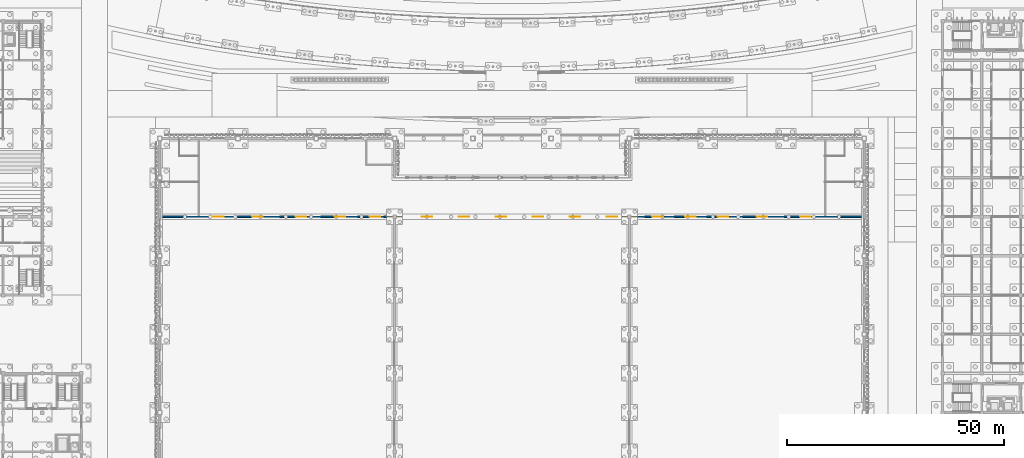
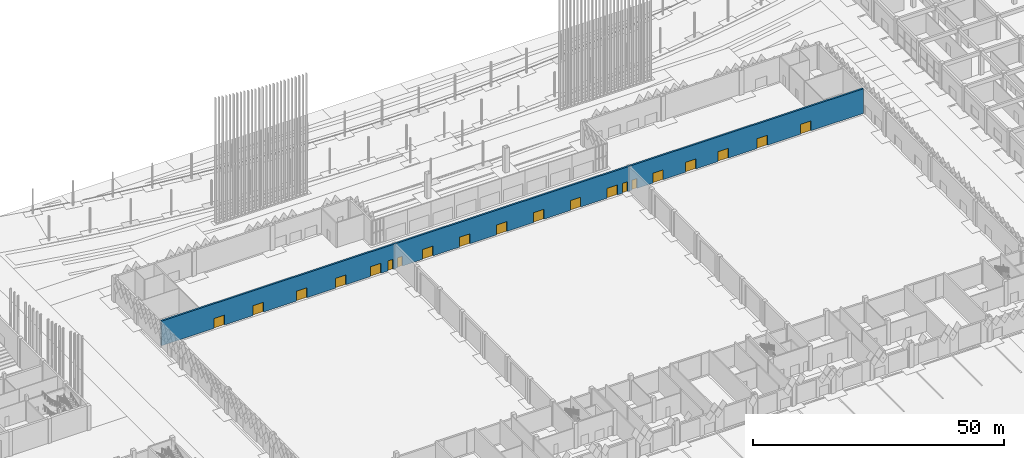
# One storey, part 95 of 198: 20 doors, 1 wall, 20 openings.
"""IFC4 building model written with IfcOpenShell, lengths in metres."""

from ifc_helpers import new_model, si_unit, direction, frame, frame_2d, origin, place, context, subcontext, project, spatial, rectangle, extrude, material, layer, layer_set, type_object, element, fill, save


model = new_model("IFC4")

# Units and contexts
model_context = context("Model", 3, precision=1e-05, world=origin(), true_north=direction((0.0, 1.0)))
body_context = subcontext(model_context, "Body", "Model", "MODEL_VIEW")
ifc_project = project(units=[si_unit("LENGTHUNIT", "METRE"), si_unit("AREAUNIT", "SQUARE_METRE"), si_unit("VOLUMEUNIT", "CUBIC_METRE"), si_unit("PLANEANGLEUNIT", "RADIAN"), si_unit("MASSUNIT", "GRAM", prefix="KILO")], contexts=[model_context])

# Site, building, storey
site_placement = place(None, origin())
site = spatial("IfcSite", under=ifc_project, at=site_placement, CompositionType="ELEMENT")
building_placement = place(site_placement, origin())
building = spatial("IfcBuilding", under=site, at=building_placement, Name="Opaline Strait Convention Centre", CompositionType="ELEMENT")
storey_placement = place(building_placement, origin())
storey = spatial("IfcBuildingStorey", under=building, at=storey_placement, Name="L00", CompositionType="ELEMENT", Elevation=0.0)

# Wall, openings, doors
ifc_material_1 = material(Name="Concrete C40", Category="concrete")
ifc_layer_1 = layer(ifc_material_1, 0.300048828125)
ifc_material_2 = material(Name="Cement plaster")
ifc_layer_2 = layer(ifc_material_2, 0.050048828125)
ifc_layer_3 = layer(ifc_material_2, 0.050048828125)
ifc_layer_set = layer_set([ifc_layer_1, ifc_layer_2, ifc_layer_3], Name="Concrete C40, Cement plaster, Cement plaster")
wall_type = type_object("IfcWallType", Name="Hall compartment wall 400", PredefinedType="SOLIDWALL", material=ifc_layer_set)
wall_placement = place(storey_placement, frame((99.199951171875, 135.0, 0.0), z_axis=(0.0, 0.0, 1.0), x_axis=(1.0, 0.0, 0.0)))
wall = element("IfcWall", 1, at=wall_placement, inside=storey, type_object=wall_type, Name="Hall north wall", PredefinedType="SOLIDWALL", context=body_context, shape_type="SweptSolid", body=[
    extrude(rectangle(XDim=161.60009765625, YDim=0.39990234375, at=frame_2d((80.800048828125, 0.0))), origin(), (0.0, 0.0, 1.0), 6.0),
])
opening_1_placement = place(wall_placement, frame((12.10009765625, 0.0, 0.0)))
opening_1 = element("IfcOpeningElement", 2, at=opening_1_placement, cuts=wall, Name="Opening X0-062", PredefinedType="OPENING", context=body_context, shape_type="SweptSolid", body=[
    extrude(rectangle(XDim=2.39990234375, YDim=2.39990234375, at=frame_2d((1.199951171875, 1.199951171875))), frame((0.0, 0.2099609375, 0.0), z_axis=(0.0, -1.0, 0.0), x_axis=(1.0, 0.0, 0.0)), (0.0, 0.0, 1.0), 0.419921875),
])
opening_2_placement = place(wall_placement, frame((21.10009765625, 0.0, 0.0)))
opening_2 = element("IfcOpeningElement", 3, at=opening_2_placement, cuts=wall, Name="Opening X0-063", PredefinedType="OPENING", context=body_context, shape_type="SweptSolid", body=[
    extrude(rectangle(XDim=2.39990234375, YDim=2.39990234375, at=frame_2d((1.199951171875, 1.199951171875))), frame((0.0, 0.2099609375, 0.0), z_axis=(0.0, -1.0, 0.0), x_axis=(1.0, 0.0, 0.0)), (0.0, 0.0, 1.0), 0.419921875),
])
opening_3_placement = place(wall_placement, frame((31.10009765625, 0.0, 0.0)))
opening_3 = element("IfcOpeningElement", 4, at=opening_3_placement, cuts=wall, Name="Opening X0-064", PredefinedType="OPENING", context=body_context, shape_type="SweptSolid", body=[
    extrude(rectangle(XDim=2.39990234375, YDim=2.39990234375, at=frame_2d((1.199951171875, 1.199951171875))), frame((0.0, 0.2099609375, 0.0), z_axis=(0.0, -1.0, 0.0), x_axis=(1.0, 0.0, 0.0)), (0.0, 0.0, 1.0), 0.419921875),
])
opening_4_placement = place(wall_placement, frame((40.10009765625, 0.0, 0.0)))
opening_4 = element("IfcOpeningElement", 5, at=opening_4_placement, cuts=wall, Name="Opening X0-065", PredefinedType="OPENING", context=body_context, shape_type="SweptSolid", body=[
    extrude(rectangle(XDim=2.39990234375, YDim=2.39990234375, at=frame_2d((1.199951171875, 1.199951171875))), frame((0.0, 0.2099609375, 0.0), z_axis=(0.0, -1.0, 0.0), x_axis=(1.0, 0.0, 0.0)), (0.0, 0.0, 1.0), 0.419921875),
])
opening_5_placement = place(wall_placement, frame((48.10009765625, 0.0, 0.0)))
opening_5 = element("IfcOpeningElement", 6, at=opening_5_placement, cuts=wall, Name="Opening X0-066", PredefinedType="OPENING", context=body_context, shape_type="SweptSolid", body=[
    extrude(rectangle(XDim=2.39990234375, YDim=2.39990234375, at=frame_2d((1.199951171875, 1.199951171875))), frame((0.0, 0.2099609375, 0.0), z_axis=(0.0, -1.0, 0.0), x_axis=(1.0, 0.0, 0.0)), (0.0, 0.0, 1.0), 0.419921875),
])
opening_6_placement = place(wall_placement, frame((52.10009765625, 0.0, 0.0)))
opening_6 = element("IfcOpeningElement", 7, at=opening_6_placement, cuts=wall, Name="Opening X0-067", PredefinedType="OPENING", context=body_context, shape_type="SweptSolid", body=[
    extrude(rectangle(XDim=1.199951171875, YDim=2.39990234375, at=frame_2d((0.60009765625, 1.199951171875))), frame((0.0, 0.2099609375, 0.0), z_axis=(0.0, -1.0, 0.0), x_axis=(1.0, 0.0, 0.0)), (0.0, 0.0, 1.0), 0.419921875),
])
opening_7_placement = place(wall_placement, frame((54.300048828125, 0.0, 0.0)))
opening_7 = element("IfcOpeningElement", 8, at=opening_7_placement, cuts=wall, Name="Opening X0-068", PredefinedType="OPENING", context=body_context, shape_type="SweptSolid", body=[
    extrude(rectangle(XDim=1.199951171875, YDim=2.39990234375, at=frame_2d((0.60009765625, 1.199951171875))), frame((0.0, 0.2099609375, 0.0), z_axis=(0.0, -1.0, 0.0), x_axis=(1.0, 0.0, 0.0)), (0.0, 0.0, 1.0), 0.419921875),
])
opening_8_placement = place(wall_placement, frame((60.10009765625, 0.0, 0.0)))
opening_8 = element("IfcOpeningElement", 9, at=opening_8_placement, cuts=wall, Name="Opening X0-069", PredefinedType="OPENING", context=body_context, shape_type="SweptSolid", body=[
    extrude(rectangle(XDim=2.39990234375, YDim=2.39990234375, at=frame_2d((1.199951171875, 1.199951171875))), frame((0.0, 0.2099609375, 0.0), z_axis=(0.0, -1.0, 0.0), x_axis=(1.0, 0.0, 0.0)), (0.0, 0.0, 1.0), 0.419921875),
])
opening_9_placement = place(wall_placement, frame((68.60009765625, 0.0, 0.0)))
opening_9 = element("IfcOpeningElement", 10, at=opening_9_placement, cuts=wall, Name="Opening X0-070", PredefinedType="OPENING", context=body_context, shape_type="SweptSolid", body=[
    extrude(rectangle(XDim=2.39990234375, YDim=2.39990234375, at=frame_2d((1.199951171875, 1.199951171875))), frame((0.0, 0.2099609375, 0.0), z_axis=(0.0, -1.0, 0.0), x_axis=(1.0, 0.0, 0.0)), (0.0, 0.0, 1.0), 0.419921875),
])
opening_10_placement = place(wall_placement, frame((77.10009765625, 0.0, 0.0)))
opening_10 = element("IfcOpeningElement", 11, at=opening_10_placement, cuts=wall, Name="Opening X0-071", PredefinedType="OPENING", context=body_context, shape_type="SweptSolid", body=[
    extrude(rectangle(XDim=2.39990234375, YDim=2.39990234375, at=frame_2d((1.199951171875, 1.199951171875))), frame((0.0, 0.2099609375, 0.0), z_axis=(0.0, -1.0, 0.0), x_axis=(1.0, 0.0, 0.0)), (0.0, 0.0, 1.0), 0.419921875),
])
opening_11_placement = place(wall_placement, frame((85.60009765625, 0.0, 0.0)))
opening_11 = element("IfcOpeningElement", 12, at=opening_11_placement, cuts=wall, Name="Opening X0-072", PredefinedType="OPENING", context=body_context, shape_type="SweptSolid", body=[
    extrude(rectangle(XDim=2.39990234375, YDim=2.39990234375, at=frame_2d((1.199951171875, 1.199951171875))), frame((0.0, 0.2099609375, 0.0), z_axis=(0.0, -1.0, 0.0), x_axis=(1.0, 0.0, 0.0)), (0.0, 0.0, 1.0), 0.419921875),
])
opening_12_placement = place(wall_placement, frame((94.10009765625, 0.0, 0.0)))
opening_12 = element("IfcOpeningElement", 13, at=opening_12_placement, cuts=wall, Name="Opening X0-073", PredefinedType="OPENING", context=body_context, shape_type="SweptSolid", body=[
    extrude(rectangle(XDim=2.39990234375, YDim=2.39990234375, at=frame_2d((1.199951171875, 1.199951171875))), frame((0.0, 0.2099609375, 0.0), z_axis=(0.0, -1.0, 0.0), x_axis=(1.0, 0.0, 0.0)), (0.0, 0.0, 1.0), 0.419921875),
])
opening_13_placement = place(wall_placement, frame((102.60009765625, 0.0, 0.0)))
opening_13 = element("IfcOpeningElement", 14, at=opening_13_placement, cuts=wall, Name="Opening X0-074", PredefinedType="OPENING", context=body_context, shape_type="SweptSolid", body=[
    extrude(rectangle(XDim=2.39990234375, YDim=2.39990234375, at=frame_2d((1.199951171875, 1.199951171875))), frame((0.0, 0.2099609375, 0.0), z_axis=(0.0, -1.0, 0.0), x_axis=(1.0, 0.0, 0.0)), (0.0, 0.0, 1.0), 0.419921875),
])
opening_14_placement = place(wall_placement, frame((106.10009765625, 0.0, 0.0)))
opening_14 = element("IfcOpeningElement", 15, at=opening_14_placement, cuts=wall, Name="Opening X0-075", PredefinedType="OPENING", context=body_context, shape_type="SweptSolid", body=[
    extrude(rectangle(XDim=1.199951171875, YDim=2.39990234375, at=frame_2d((0.60009765625, 1.199951171875))), frame((0.0, 0.2099609375, 0.0), z_axis=(0.0, -1.0, 0.0), x_axis=(1.0, 0.0, 0.0)), (0.0, 0.0, 1.0), 0.419921875),
])
opening_15_placement = place(wall_placement, frame((108.300048828125, 0.0, 0.0)))
opening_15 = element("IfcOpeningElement", 16, at=opening_15_placement, cuts=wall, Name="Opening X0-076", PredefinedType="OPENING", context=body_context, shape_type="SweptSolid", body=[
    extrude(rectangle(XDim=1.199951171875, YDim=2.39990234375, at=frame_2d((0.60009765625, 1.199951171875))), frame((0.0, 0.2099609375, 0.0), z_axis=(0.0, -1.0, 0.0), x_axis=(1.0, 0.0, 0.0)), (0.0, 0.0, 1.0), 0.419921875),
])
opening_16_placement = place(wall_placement, frame((113.10009765625, 0.0, 0.0)))
opening_16 = element("IfcOpeningElement", 17, at=opening_16_placement, cuts=wall, Name="Opening X0-077", PredefinedType="OPENING", context=body_context, shape_type="SweptSolid", body=[
    extrude(rectangle(XDim=2.39990234375, YDim=2.39990234375, at=frame_2d((1.199951171875, 1.199951171875))), frame((0.0, 0.2099609375, 0.0), z_axis=(0.0, -1.0, 0.0), x_axis=(1.0, 0.0, 0.0)), (0.0, 0.0, 1.0), 0.419921875),
])
opening_17_placement = place(wall_placement, frame((120.60009765625, 0.0, 0.0)))
opening_17 = element("IfcOpeningElement", 18, at=opening_17_placement, cuts=wall, Name="Opening X0-078", PredefinedType="OPENING", context=body_context, shape_type="SweptSolid", body=[
    extrude(rectangle(XDim=2.39990234375, YDim=2.39990234375, at=frame_2d((1.199951171875, 1.199951171875))), frame((0.0, 0.2099609375, 0.0), z_axis=(0.0, -1.0, 0.0), x_axis=(1.0, 0.0, 0.0)), (0.0, 0.0, 1.0), 0.419921875),
])
opening_18_placement = place(wall_placement, frame((128.10009765625, 0.0, 0.0)))
opening_18 = element("IfcOpeningElement", 19, at=opening_18_placement, cuts=wall, Name="Opening X0-079", PredefinedType="OPENING", context=body_context, shape_type="SweptSolid", body=[
    extrude(rectangle(XDim=2.39990234375, YDim=2.39990234375, at=frame_2d((1.199951171875, 1.199951171875))), frame((0.0, 0.2099609375, 0.0), z_axis=(0.0, -1.0, 0.0), x_axis=(1.0, 0.0, 0.0)), (0.0, 0.0, 1.0), 0.419921875),
])
opening_19_placement = place(wall_placement, frame((137.10009765625, 0.0, 0.0)))
opening_19 = element("IfcOpeningElement", 20, at=opening_19_placement, cuts=wall, Name="Opening X0-080", PredefinedType="OPENING", context=body_context, shape_type="SweptSolid", body=[
    extrude(rectangle(XDim=2.39990234375, YDim=2.39990234375, at=frame_2d((1.199951171875, 1.199951171875))), frame((0.0, 0.2099609375, 0.0), z_axis=(0.0, -1.0, 0.0), x_axis=(1.0, 0.0, 0.0)), (0.0, 0.0, 1.0), 0.419921875),
])
opening_20_placement = place(wall_placement, frame((147.10009765625, 0.0, 0.0)))
opening_20 = element("IfcOpeningElement", 21, at=opening_20_placement, cuts=wall, Name="Opening X0-081", PredefinedType="OPENING", context=body_context, shape_type="SweptSolid", body=[
    extrude(rectangle(XDim=2.39990234375, YDim=2.39990234375, at=frame_2d((1.199951171875, 1.199951171875))), frame((0.0, 0.2099609375, 0.0), z_axis=(0.0, -1.0, 0.0), x_axis=(1.0, 0.0, 0.0)), (0.0, 0.0, 1.0), 0.419921875),
])
ifc_material_3 = material(Name="Steel Q235B", Category="steel")
door_type_1 = type_object("IfcDoorType", Name="Fire door pair FD90 2400 x 2400", OperationType="DOUBLE_DOOR_SINGLE_SWING", PredefinedType="DOOR", material=ifc_material_3)
door_1_placement = place(opening_1_placement, origin())
door_1 = element("IfcDoor", 22, at=door_1_placement, inside=storey, type_object=door_type_1, Name="Hall to foyer door 1", ObjectType="XD3", OperationType="DOUBLE_DOOR_SINGLE_SWING", OverallHeight=2.39990234375, OverallWidth=2.39990234375, PredefinedType="DOOR", context=body_context, shape_type="SweptSolid", body=[
    extrude(rectangle(XDim=2.39990234375, YDim=2.39990234375, at=frame_2d((1.199951171875, 1.199951171875))), frame((0.0, 0.02490234375, 0.0), z_axis=(0.0, -1.0, 0.0), x_axis=(1.0, 0.0, 0.0)), (0.0, 0.0, 1.0), 0.050048828125),
])
fill(opening_1, door_1)
door_2_placement = place(opening_2_placement, origin())
door_2 = element("IfcDoor", 23, at=door_2_placement, inside=storey, type_object=door_type_1, Name="Hall to foyer door 2", ObjectType="XD3", OperationType="DOUBLE_DOOR_SINGLE_SWING", OverallHeight=2.39990234375, OverallWidth=2.39990234375, PredefinedType="DOOR", context=body_context, shape_type="SweptSolid", body=[
    extrude(rectangle(XDim=2.39990234375, YDim=2.39990234375, at=frame_2d((1.199951171875, 1.199951171875))), frame((0.0, 0.02490234375, 0.0), z_axis=(0.0, -1.0, 0.0), x_axis=(1.0, 0.0, 0.0)), (0.0, 0.0, 1.0), 0.050048828125),
])
fill(opening_2, door_2)
door_3_placement = place(opening_3_placement, origin())
door_3 = element("IfcDoor", 24, at=door_3_placement, inside=storey, type_object=door_type_1, Name="Hall to foyer door 3", ObjectType="XD3", OperationType="DOUBLE_DOOR_SINGLE_SWING", OverallHeight=2.39990234375, OverallWidth=2.39990234375, PredefinedType="DOOR", context=body_context, shape_type="SweptSolid", body=[
    extrude(rectangle(XDim=2.39990234375, YDim=2.39990234375, at=frame_2d((1.199951171875, 1.199951171875))), frame((0.0, 0.02490234375, 0.0), z_axis=(0.0, -1.0, 0.0), x_axis=(1.0, 0.0, 0.0)), (0.0, 0.0, 1.0), 0.050048828125),
])
fill(opening_3, door_3)
door_4_placement = place(opening_4_placement, origin())
door_4 = element("IfcDoor", 25, at=door_4_placement, inside=storey, type_object=door_type_1, Name="Hall to foyer door 4", ObjectType="XD3", OperationType="DOUBLE_DOOR_SINGLE_SWING", OverallHeight=2.39990234375, OverallWidth=2.39990234375, PredefinedType="DOOR", context=body_context, shape_type="SweptSolid", body=[
    extrude(rectangle(XDim=2.39990234375, YDim=2.39990234375, at=frame_2d((1.199951171875, 1.199951171875))), frame((0.0, 0.02490234375, 0.0), z_axis=(0.0, -1.0, 0.0), x_axis=(1.0, 0.0, 0.0)), (0.0, 0.0, 1.0), 0.050048828125),
])
fill(opening_4, door_4)
door_5_placement = place(opening_5_placement, origin())
door_5 = element("IfcDoor", 26, at=door_5_placement, inside=storey, type_object=door_type_1, Name="Hall to foyer door 5", ObjectType="XD3", OperationType="DOUBLE_DOOR_SINGLE_SWING", OverallHeight=2.39990234375, OverallWidth=2.39990234375, PredefinedType="DOOR", context=body_context, shape_type="SweptSolid", body=[
    extrude(rectangle(XDim=2.39990234375, YDim=2.39990234375, at=frame_2d((1.199951171875, 1.199951171875))), frame((0.0, 0.02490234375, 0.0), z_axis=(0.0, -1.0, 0.0), x_axis=(1.0, 0.0, 0.0)), (0.0, 0.0, 1.0), 0.050048828125),
])
fill(opening_5, door_5)
door_6_placement = place(opening_8_placement, origin())
door_6 = element("IfcDoor", 27, at=door_6_placement, inside=storey, type_object=door_type_1, Name="Hall to foyer door 8", ObjectType="XD3", OperationType="DOUBLE_DOOR_SINGLE_SWING", OverallHeight=2.39990234375, OverallWidth=2.39990234375, PredefinedType="DOOR", context=body_context, shape_type="SweptSolid", body=[
    extrude(rectangle(XDim=2.39990234375, YDim=2.39990234375, at=frame_2d((1.199951171875, 1.199951171875))), frame((0.0, 0.02490234375, 0.0), z_axis=(0.0, -1.0, 0.0), x_axis=(1.0, 0.0, 0.0)), (0.0, 0.0, 1.0), 0.050048828125),
])
fill(opening_8, door_6)
door_7_placement = place(opening_9_placement, origin())
door_7 = element("IfcDoor", 28, at=door_7_placement, inside=storey, type_object=door_type_1, Name="Hall to foyer door 9", ObjectType="XD3", OperationType="DOUBLE_DOOR_SINGLE_SWING", OverallHeight=2.39990234375, OverallWidth=2.39990234375, PredefinedType="DOOR", context=body_context, shape_type="SweptSolid", body=[
    extrude(rectangle(XDim=2.39990234375, YDim=2.39990234375, at=frame_2d((1.199951171875, 1.199951171875))), frame((0.0, 0.02490234375, 0.0), z_axis=(0.0, -1.0, 0.0), x_axis=(1.0, 0.0, 0.0)), (0.0, 0.0, 1.0), 0.050048828125),
])
fill(opening_9, door_7)
door_8_placement = place(opening_10_placement, origin())
door_8 = element("IfcDoor", 29, at=door_8_placement, inside=storey, type_object=door_type_1, Name="Hall to foyer door 10", ObjectType="XD3", OperationType="DOUBLE_DOOR_SINGLE_SWING", OverallHeight=2.39990234375, OverallWidth=2.39990234375, PredefinedType="DOOR", context=body_context, shape_type="SweptSolid", body=[
    extrude(rectangle(XDim=2.39990234375, YDim=2.39990234375, at=frame_2d((1.199951171875, 1.199951171875))), frame((0.0, 0.02490234375, 0.0), z_axis=(0.0, -1.0, 0.0), x_axis=(1.0, 0.0, 0.0)), (0.0, 0.0, 1.0), 0.050048828125),
])
fill(opening_10, door_8)
door_9_placement = place(opening_11_placement, origin())
door_9 = element("IfcDoor", 30, at=door_9_placement, inside=storey, type_object=door_type_1, Name="Hall to foyer door 11", ObjectType="XD3", OperationType="DOUBLE_DOOR_SINGLE_SWING", OverallHeight=2.39990234375, OverallWidth=2.39990234375, PredefinedType="DOOR", context=body_context, shape_type="SweptSolid", body=[
    extrude(rectangle(XDim=2.39990234375, YDim=2.39990234375, at=frame_2d((1.199951171875, 1.199951171875))), frame((0.0, 0.02490234375, 0.0), z_axis=(0.0, -1.0, 0.0), x_axis=(1.0, 0.0, 0.0)), (0.0, 0.0, 1.0), 0.050048828125),
])
fill(opening_11, door_9)
door_10_placement = place(opening_12_placement, origin())
door_10 = element("IfcDoor", 31, at=door_10_placement, inside=storey, type_object=door_type_1, Name="Hall to foyer door 12", ObjectType="XD3", OperationType="DOUBLE_DOOR_SINGLE_SWING", OverallHeight=2.39990234375, OverallWidth=2.39990234375, PredefinedType="DOOR", context=body_context, shape_type="SweptSolid", body=[
    extrude(rectangle(XDim=2.39990234375, YDim=2.39990234375, at=frame_2d((1.199951171875, 1.199951171875))), frame((0.0, 0.02490234375, 0.0), z_axis=(0.0, -1.0, 0.0), x_axis=(1.0, 0.0, 0.0)), (0.0, 0.0, 1.0), 0.050048828125),
])
fill(opening_12, door_10)
door_11_placement = place(opening_13_placement, origin())
door_11 = element("IfcDoor", 32, at=door_11_placement, inside=storey, type_object=door_type_1, Name="Hall to foyer door 13", ObjectType="XD3", OperationType="DOUBLE_DOOR_SINGLE_SWING", OverallHeight=2.39990234375, OverallWidth=2.39990234375, PredefinedType="DOOR", context=body_context, shape_type="SweptSolid", body=[
    extrude(rectangle(XDim=2.39990234375, YDim=2.39990234375, at=frame_2d((1.199951171875, 1.199951171875))), frame((0.0, 0.02490234375, 0.0), z_axis=(0.0, -1.0, 0.0), x_axis=(1.0, 0.0, 0.0)), (0.0, 0.0, 1.0), 0.050048828125),
])
fill(opening_13, door_11)
door_12_placement = place(opening_16_placement, origin())
door_12 = element("IfcDoor", 33, at=door_12_placement, inside=storey, type_object=door_type_1, Name="Hall to foyer door 16", ObjectType="XD3", OperationType="DOUBLE_DOOR_SINGLE_SWING", OverallHeight=2.39990234375, OverallWidth=2.39990234375, PredefinedType="DOOR", context=body_context, shape_type="SweptSolid", body=[
    extrude(rectangle(XDim=2.39990234375, YDim=2.39990234375, at=frame_2d((1.199951171875, 1.199951171875))), frame((0.0, 0.02490234375, 0.0), z_axis=(0.0, -1.0, 0.0), x_axis=(1.0, 0.0, 0.0)), (0.0, 0.0, 1.0), 0.050048828125),
])
fill(opening_16, door_12)
door_13_placement = place(opening_17_placement, origin())
door_13 = element("IfcDoor", 34, at=door_13_placement, inside=storey, type_object=door_type_1, Name="Hall to foyer door 17", ObjectType="XD3", OperationType="DOUBLE_DOOR_SINGLE_SWING", OverallHeight=2.39990234375, OverallWidth=2.39990234375, PredefinedType="DOOR", context=body_context, shape_type="SweptSolid", body=[
    extrude(rectangle(XDim=2.39990234375, YDim=2.39990234375, at=frame_2d((1.199951171875, 1.199951171875))), frame((0.0, 0.02490234375, 0.0), z_axis=(0.0, -1.0, 0.0), x_axis=(1.0, 0.0, 0.0)), (0.0, 0.0, 1.0), 0.050048828125),
])
fill(opening_17, door_13)
door_14_placement = place(opening_18_placement, origin())
door_14 = element("IfcDoor", 35, at=door_14_placement, inside=storey, type_object=door_type_1, Name="Hall to foyer door 18", ObjectType="XD3", OperationType="DOUBLE_DOOR_SINGLE_SWING", OverallHeight=2.39990234375, OverallWidth=2.39990234375, PredefinedType="DOOR", context=body_context, shape_type="SweptSolid", body=[
    extrude(rectangle(XDim=2.39990234375, YDim=2.39990234375, at=frame_2d((1.199951171875, 1.199951171875))), frame((0.0, 0.02490234375, 0.0), z_axis=(0.0, -1.0, 0.0), x_axis=(1.0, 0.0, 0.0)), (0.0, 0.0, 1.0), 0.050048828125),
])
fill(opening_18, door_14)
door_15_placement = place(opening_19_placement, origin())
door_15 = element("IfcDoor", 36, at=door_15_placement, inside=storey, type_object=door_type_1, Name="Hall to foyer door 19", ObjectType="XD3", OperationType="DOUBLE_DOOR_SINGLE_SWING", OverallHeight=2.39990234375, OverallWidth=2.39990234375, PredefinedType="DOOR", context=body_context, shape_type="SweptSolid", body=[
    extrude(rectangle(XDim=2.39990234375, YDim=2.39990234375, at=frame_2d((1.199951171875, 1.199951171875))), frame((0.0, 0.02490234375, 0.0), z_axis=(0.0, -1.0, 0.0), x_axis=(1.0, 0.0, 0.0)), (0.0, 0.0, 1.0), 0.050048828125),
])
fill(opening_19, door_15)
door_16_placement = place(opening_20_placement, origin())
door_16 = element("IfcDoor", 37, at=door_16_placement, inside=storey, type_object=door_type_1, Name="Hall to foyer door 20", ObjectType="XD3", OperationType="DOUBLE_DOOR_SINGLE_SWING", OverallHeight=2.39990234375, OverallWidth=2.39990234375, PredefinedType="DOOR", context=body_context, shape_type="SweptSolid", body=[
    extrude(rectangle(XDim=2.39990234375, YDim=2.39990234375, at=frame_2d((1.199951171875, 1.199951171875))), frame((0.0, 0.02490234375, 0.0), z_axis=(0.0, -1.0, 0.0), x_axis=(1.0, 0.0, 0.0)), (0.0, 0.0, 1.0), 0.050048828125),
])
fill(opening_20, door_16)
door_type_2 = type_object("IfcDoorType", Name="Fire door single FD90 1200 x 2400", OperationType="SINGLE_SWING_LEFT", PredefinedType="DOOR", material=ifc_material_3)
door_17_placement = place(opening_6_placement, origin())
door_17 = element("IfcDoor", 38, at=door_17_placement, inside=storey, type_object=door_type_2, Name="Hall to foyer door 6", ObjectType="XD16", OperationType="SINGLE_SWING_LEFT", OverallHeight=2.39990234375, OverallWidth=1.199951171875, PredefinedType="DOOR", context=body_context, shape_type="SweptSolid", body=[
    extrude(rectangle(XDim=1.199951171875, YDim=2.39990234375, at=frame_2d((0.60009765625, 1.199951171875))), frame((0.0, 0.02490234375, 0.0), z_axis=(0.0, -1.0, 0.0), x_axis=(1.0, 0.0, 0.0)), (0.0, 0.0, 1.0), 0.050048828125),
])
fill(opening_6, door_17)
door_18_placement = place(opening_7_placement, origin())
door_18 = element("IfcDoor", 39, at=door_18_placement, inside=storey, type_object=door_type_2, Name="Hall to foyer door 7", ObjectType="XD16", OperationType="SINGLE_SWING_LEFT", OverallHeight=2.39990234375, OverallWidth=1.199951171875, PredefinedType="DOOR", context=body_context, shape_type="SweptSolid", body=[
    extrude(rectangle(XDim=1.199951171875, YDim=2.39990234375, at=frame_2d((0.60009765625, 1.199951171875))), frame((0.0, 0.02490234375, 0.0), z_axis=(0.0, -1.0, 0.0), x_axis=(1.0, 0.0, 0.0)), (0.0, 0.0, 1.0), 0.050048828125),
])
fill(opening_7, door_18)
door_19_placement = place(opening_14_placement, origin())
door_19 = element("IfcDoor", 40, at=door_19_placement, inside=storey, type_object=door_type_2, Name="Hall to foyer door 14", ObjectType="XD16", OperationType="SINGLE_SWING_RIGHT", OverallHeight=2.39990234375, OverallWidth=1.199951171875, PredefinedType="DOOR", context=body_context, shape_type="SweptSolid", body=[
    extrude(rectangle(XDim=1.199951171875, YDim=2.39990234375, at=frame_2d((0.60009765625, 1.199951171875))), frame((0.0, 0.02490234375, 0.0), z_axis=(0.0, -1.0, 0.0), x_axis=(1.0, 0.0, 0.0)), (0.0, 0.0, 1.0), 0.050048828125),
])
fill(opening_14, door_19)
door_20_placement = place(opening_15_placement, origin())
door_20 = element("IfcDoor", 41, at=door_20_placement, inside=storey, type_object=door_type_2, Name="Hall to foyer door 15", ObjectType="XD16", OperationType="SINGLE_SWING_RIGHT", OverallHeight=2.39990234375, OverallWidth=1.199951171875, PredefinedType="DOOR", context=body_context, shape_type="SweptSolid", body=[
    extrude(rectangle(XDim=1.199951171875, YDim=2.39990234375, at=frame_2d((0.60009765625, 1.199951171875))), frame((0.0, 0.02490234375, 0.0), z_axis=(0.0, -1.0, 0.0), x_axis=(1.0, 0.0, 0.0)), (0.0, 0.0, 1.0), 0.050048828125),
])
fill(opening_15, door_20)

save(model, "model.ifc")
